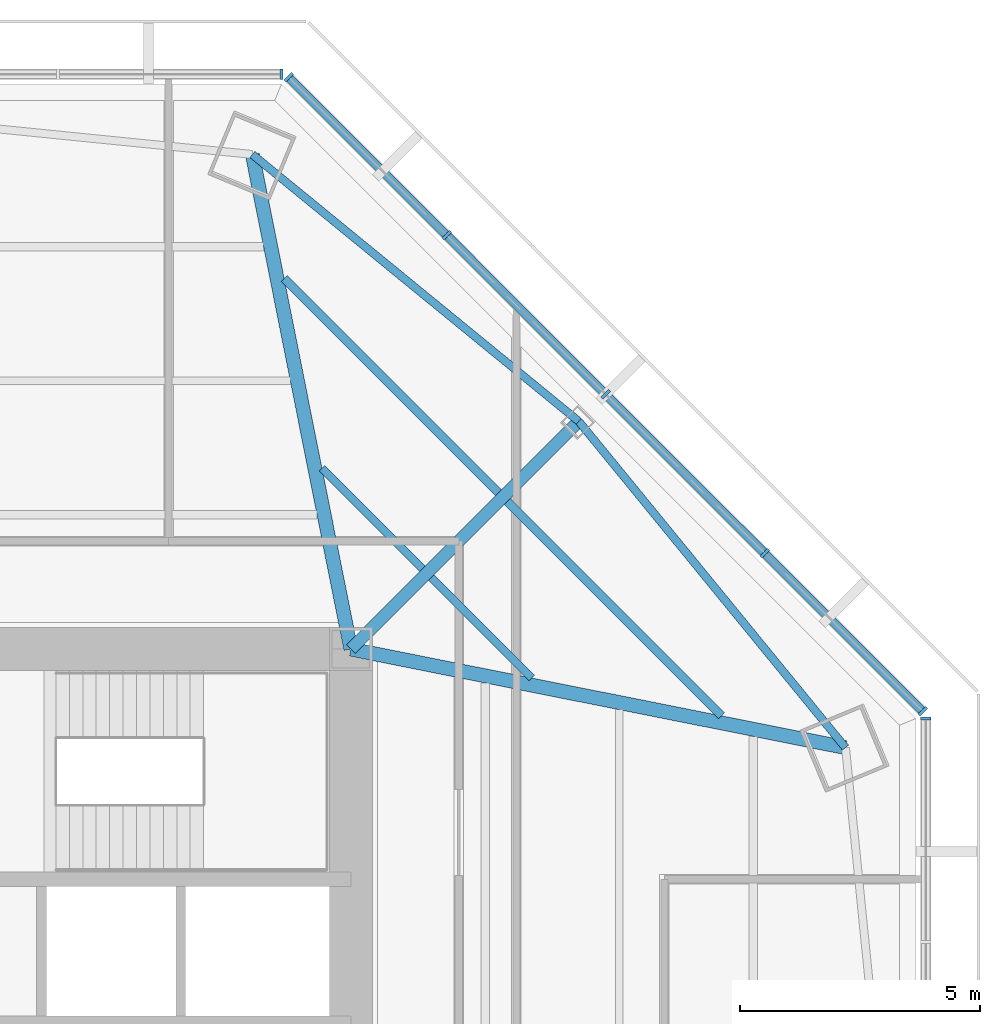
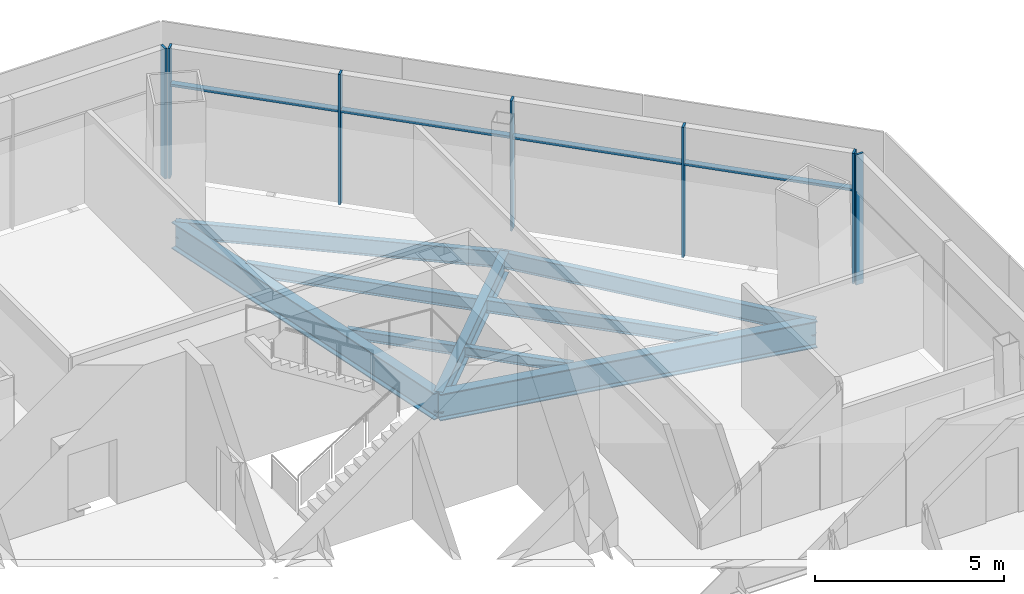
# One storey, part 6 of 15: 11 members, 9 beams, 3 elements without a shape of their own.
"""IFC4 building model written with IfcOpenShell, lengths in metres."""

from ifc_helpers import new_model, si_unit, direction, frame, origin, origin_2d, place, context, subcontext, project, spatial, rectangle, i_section, extrude, source, transform, mapped, material, material_profile, profile_set, type_object, type_shapes, element, aggregate, save


model = new_model("IFC4")

# Units and contexts
model_context = context("Model", 3, precision=1e-05, world=origin(), true_north=direction((0.0, 1.0)))
body_context = subcontext(model_context, "Body", "Model", "MODEL_VIEW")
ifc_project = project(units=[si_unit("LENGTHUNIT", "METRE"), si_unit("AREAUNIT", "SQUARE_METRE"), si_unit("VOLUMEUNIT", "CUBIC_METRE"), si_unit("PLANEANGLEUNIT", "RADIAN"), si_unit("MASSUNIT", "GRAM", prefix="KILO")], contexts=[model_context])

# Site, building, storey
site_placement = place(None, origin())
site = spatial("IfcSite", under=ifc_project, at=site_placement, CompositionType="ELEMENT")
building_placement = place(site_placement, origin())
building = spatial("IfcBuilding", under=site, at=building_placement, Name="Mashrafa Tower", CompositionType="ELEMENT")
storey_placement = place(building_placement, frame((0.0, 0.0, 184.800048828125)))
storey = spatial("IfcBuildingStorey", under=building, at=storey_placement, Name="L42", CompositionType="ELEMENT", Elevation=184.800048828125)

# Beams
ifc_material_1 = material(Name="Steel ASTM A992", Category="steel")
ifc_material_profile_1 = material_profile(ifc_material_1, i_section(OverallWidth=0.164794921875, OverallDepth=0.309814453125, WebThickness=0.005859375, FlangeThickness=0.009765625, FilletRadius=0.007568359375, at=origin_2d()), Name="W12X26")
ifc_profile_set_1 = profile_set([ifc_material_profile_1], Name="Steel ASTM A992")
beam_type_1 = type_object("IfcBeamType", Name="Beam W12X26", PredefinedType="BEAM", material=ifc_profile_set_1)
for number, where, z_axis, x_axis, name in (
    (1, (10.1982421875, 14.568603515625, -0.320068359375), (0.707147974672, -0.707065585301, 0.0), (0.707065585301, 0.707147974672, 0.0), "Floor beam L42 027"),
    (2, (12.473388671875, 12.293701171875, -0.320068359375), (0.707065585301, -0.707147974672, 0.0), (0.707147974672, 0.707065585301, 0.0), "Floor beam L42 030"),
):
    element("IfcBeam", number, at=place(storey_placement, frame(where, z_axis=z_axis, x_axis=x_axis)), inside=storey, type_object=beam_type_1, Name=name, PredefinedType="BEAM", context=body_context, shape_type="SweptSolid", body=[
        extrude(i_section(OverallWidth=0.164794921875, OverallDepth=0.309814453125, WebThickness=0.005859375, FlangeThickness=0.009765625, FilletRadius=0.007568359375, at=origin_2d()), origin(), (0.0, 0.0, 1.0), 2.963134765625),
    ])
ifc_material_2 = material(Name="Steel ASTM A992", Category="steel")
ifc_material_profile_2 = material_profile(ifc_material_2, i_section(OverallWidth=0.177734375, OverallDepth=0.406494140625, WebThickness=0.0078125, FlangeThickness=0.012939453125, FilletRadius=0.01025390625, at=origin_2d()), Name="W16X40")
ifc_profile_set_2 = profile_set([ifc_material_profile_2], Name="Steel ASTM A992")
beam_type_2 = type_object("IfcBeamType", Name="Beam W16X40", PredefinedType="BEAM", material=ifc_profile_set_2)
for number, where, z_axis, x_axis, name in (
    (3, (9.410400390625, 18.5234375, -0.3681640625), (0.707106781187, -0.707106781187, 0.0), (0.707106781187, 0.707106781187, 0.0), "Floor beam L42 025"),
    (4, (14.056640625, 13.877197265625, -0.3681640625), (0.707106781187, -0.707106781187, 0.0), (0.707106781187, 0.707106781187, 0.0), "Floor beam L42 034"),
):
    element("IfcBeam", number, at=place(storey_placement, frame(where, z_axis=z_axis, x_axis=x_axis)), inside=storey, type_object=beam_type_2, Name=name, PredefinedType="BEAM", context=body_context, shape_type="SweptSolid", body=[
        extrude(i_section(OverallWidth=0.177734375, OverallDepth=0.406494140625, WebThickness=0.0078125, FlangeThickness=0.012939453125, FilletRadius=0.01025390625, at=origin_2d()), origin(), (0.0, 0.0, 1.0), 6.31689453125),
    ])
ifc_material_3 = material(Name="Steel ASTM A992", Category="steel")
ifc_material_profile_3 = material_profile(ifc_material_3, i_section(OverallWidth=0.1650390625, OverallDepth=0.52587890625, WebThickness=0.0087890625, FlangeThickness=0.011474609375, FilletRadius=0.0126953125, at=origin_2d()), Name="W21X44")
ifc_profile_set_3 = profile_set([ifc_material_profile_3], Name="Steel ASTM A992")
beam_type_3 = type_object("IfcBeamType", Name="Beam W21X44", PredefinedType="BEAM", material=ifc_profile_set_3)
for number, where, z_axis, x_axis, name in (
    (5, (15.55029296875, 15.55029296875, -0.427978515625), (-0.77420723405, 0.632932191269, 0.0), (-0.632932191269, -0.77420723405, 0.0), "Spandrel beam L42 069"),
    (6, (21.11328125, 8.74560546875, -0.427978515625), (-0.632932191269, 0.77420723405, 0.0), (-0.77420723405, -0.632932191269, 0.0), "Spandrel beam L42 071"),
):
    element("IfcBeam", number, at=place(storey_placement, frame(where, z_axis=z_axis, x_axis=x_axis)), inside=storey, type_object=beam_type_3, Name=name, PredefinedType="BEAM", context=body_context, shape_type="SweptSolid", body=[
        extrude(i_section(OverallWidth=0.1650390625, OverallDepth=0.52587890625, WebThickness=0.0087890625, FlangeThickness=0.011474609375, FilletRadius=0.0126953125, at=origin_2d()), origin(), (0.0, 0.0, 1.0), 8.789306640625),
    ])
ifc_material_4 = material(Name="Steel ASTM A992", Category="steel")
ifc_material_profile_4 = material_profile(ifc_material_4, i_section(OverallWidth=0.25390625, OverallDepth=0.683349609375, WebThickness=0.012451171875, FlangeThickness=0.01904296875, FilletRadius=0.01513671875, at=origin_2d()), Name="W27X94")
ifc_profile_set_4 = profile_set([ifc_material_profile_4], Name="Steel ASTM A992")
beam_type_4 = type_object("IfcBeamType", Name="Beam W27X94", PredefinedType="BEAM", material=ifc_profile_set_4)
beam_placement = place(storey_placement, frame((10.800048828125, 10.800048828125, -0.506591796875), z_axis=(0.707106781187, 0.707106781187, 0.0), x_axis=(-0.707106781187, 0.707106781187, 0.0)))
element("IfcBeam", 7, at=beam_placement, inside=storey, type_object=beam_type_4, Name="Radial girder L42 055", PredefinedType="BEAM", context=body_context, shape_type="SweptSolid", body=[
    extrude(i_section(OverallWidth=0.25390625, OverallDepth=0.683349609375, WebThickness=0.012451171875, FlangeThickness=0.01904296875, FilletRadius=0.01513671875, at=origin_2d()), origin(), (0.0, 0.0, 1.0), 6.7177734375),
])
ifc_material_5 = material(Name="Steel ASTM A992", Category="steel")
ifc_material_profile_5 = material_profile(ifc_material_5, i_section(OverallWidth=0.2919921875, OverallDepth=0.8583984375, WebThickness=0.01708984375, FlangeThickness=0.031005859375, FilletRadius=0.017822265625, at=origin_2d()), Name="W33X169")
ifc_profile_set_5 = profile_set([ifc_material_profile_5], Name="Steel ASTM A992")
beam_type_5 = type_object("IfcBeamType", Name="Beam W33X169", PredefinedType="BEAM", material=ifc_profile_set_5)
for number, where, z_axis, x_axis, name in (
    (8, (10.800048828125, 10.800048828125, -0.59423828125), (-0.195366009443, 0.980730402483, 0.0), (-0.980730402483, -0.195366009443, 0.0), "Radial girder L42 054"),
    (9, (10.800048828125, 10.800048828125, -0.59423828125), (0.980730402483, -0.195366009443, 0.0), (0.195366009443, 0.980730402483, 0.0), "Radial girder L42 056"),
):
    element("IfcBeam", number, at=place(storey_placement, frame(where, z_axis=z_axis, x_axis=x_axis)), inside=storey, type_object=beam_type_5, Name=name, PredefinedType="BEAM", context=body_context, shape_type="SweptSolid", body=[
        extrude(i_section(OverallWidth=0.2919921875, OverallDepth=0.8583984375, WebThickness=0.01708984375, FlangeThickness=0.031005859375, FilletRadius=0.017822265625, at=origin_2d()), origin(), (0.0, 0.0, 1.0), 10.515869140625),
    ])

# Curtain wall, member
ifc_material_6 = material(Name="Unitised aluminium curtain wall", Category="aluminium")
curtain_wall_type = type_object("IfcCurtainWallType", Name="Office curtain wall, zone 2 CW-B 225 deep", PredefinedType="NOTDEFINED", material=ifc_material_6)
curtain_wall_1_placement = place(storey_placement, origin())
curtain_wall_1 = element("IfcCurtainWall", 10, at=curtain_wall_1_placement, inside=storey, type_object=curtain_wall_type, Name="Office curtain wall, zone 2 L42 east", PredefinedType="NOTDEFINED")
ifc_material_7 = material(Name="Extruded aluminium mullion", Category="aluminium")
ifc_material_profile_6 = material_profile(ifc_material_7, rectangle(XDim=0.22509765625, YDim=0.06494140625, at=origin_2d()), Name="Mullion 65x225")
ifc_profile_set_6 = profile_set([ifc_material_profile_6], Name="Extruded aluminium mullion")
member_type_1 = type_object("IfcMemberType", Name="Mullion CW-B 65 x 225", PredefinedType="MULLION", material=ifc_profile_set_6)
shared_shape_1 = source(origin(), body_context, "Body", "SweptSolid", [
    extrude(rectangle(XDim=0.22509765625, YDim=0.06494140625, at=origin_2d()), origin(), (0.0, 0.0, 1.0), 4.199951171875),
])
type_shapes(member_type_1, [shared_shape_1])
member_1_placement = place(storey_placement, frame((22.786865234375, 9.349609375, 0.0), z_axis=(0.0, 0.0, 1.0), x_axis=(-1.0, 0.0, 0.0)))
member_1 = element("IfcMember", 11, at=member_1_placement, type_object=member_type_1, Name="CW-B mullion 5", PredefinedType="MULLION", context=body_context, shape_type="MappedRepresentation", body=[
    mapped(shared_shape_1, transform((0.0, 0.0, 0.0))),
])
aggregate(curtain_wall_1, [member_1])

# Curtain wall, members
curtain_wall_2_placement = place(storey_placement, origin())
curtain_wall_2 = element("IfcCurtainWall", 12, at=curtain_wall_2_placement, inside=storey, type_object=curtain_wall_type, Name="Office curtain wall, zone 2 L42 north-east", PredefinedType="NOTDEFINED")
member_2_placement = place(storey_placement, frame((22.723876953125, 9.501708984375, 0.0), z_axis=(0.0, 0.0, 1.0), x_axis=(-0.707106781187, -0.707106781187, 0.0)))
member_2 = element("IfcMember", 13, at=member_2_placement, type_object=member_type_1, Name="CW-B mullion 1", PredefinedType="MULLION", context=body_context, shape_type="MappedRepresentation", body=[
    mapped(shared_shape_1, transform((0.0, 0.0, 0.0))),
])
member_3_placement = place(storey_placement, frame((19.429931640625, 12.795654296875, 0.0), z_axis=(0.0, 0.0, 1.0), x_axis=(-0.707106781187, -0.707106781187, 0.0)))
member_3 = element("IfcMember", 14, at=member_3_placement, type_object=member_type_1, Name="CW-B mullion 2", PredefinedType="MULLION", context=body_context, shape_type="MappedRepresentation", body=[
    mapped(shared_shape_1, transform((0.0, 0.0, 0.0))),
])
member_4_placement = place(storey_placement, frame((16.11279296875, 16.11279296875, 0.0), z_axis=(0.0, 0.0, 1.0), x_axis=(-0.707106781187, -0.707106781187, 0.0)))
member_4 = element("IfcMember", 15, at=member_4_placement, type_object=member_type_1, Name="CW-B mullion 3", PredefinedType="MULLION", context=body_context, shape_type="MappedRepresentation", body=[
    mapped(shared_shape_1, transform((0.0, 0.0, 0.0))),
])
member_5_placement = place(storey_placement, frame((12.795654296875, 19.429931640625, 0.0), z_axis=(0.0, 0.0, 1.0), x_axis=(-0.707106781187, -0.707106781187, 0.0)))
member_5 = element("IfcMember", 16, at=member_5_placement, type_object=member_type_1, Name="CW-B mullion 4", PredefinedType="MULLION", context=body_context, shape_type="MappedRepresentation", body=[
    mapped(shared_shape_1, transform((0.0, 0.0, 0.0))),
])
member_6_placement = place(storey_placement, frame((9.501708984375, 22.723876953125, 0.0), z_axis=(0.0, 0.0, 1.0), x_axis=(-0.707106781187, -0.707106781187, 0.0)))
member_6 = element("IfcMember", 17, at=member_6_placement, type_object=member_type_1, Name="CW-B mullion 5", PredefinedType="MULLION", context=body_context, shape_type="MappedRepresentation", body=[
    mapped(shared_shape_1, transform((0.0, 0.0, 0.0))),
])

# Curtain wall, member
curtain_wall_3_placement = place(storey_placement, origin())
curtain_wall_3 = element("IfcCurtainWall", 18, at=curtain_wall_3_placement, inside=storey, type_object=curtain_wall_type, Name="Office curtain wall, zone 2 L42 north", PredefinedType="NOTDEFINED")
member_7_placement = place(storey_placement, frame((9.349609375, 22.786865234375, 0.0), z_axis=(0.0, 0.0, 1.0), x_axis=(0.0, -1.0, 0.0)))
member_7 = element("IfcMember", 19, at=member_7_placement, type_object=member_type_1, Name="CW-B mullion 1", PredefinedType="MULLION", context=body_context, shape_type="MappedRepresentation", body=[
    mapped(shared_shape_1, transform((0.0, 0.0, 0.0))),
])
aggregate(curtain_wall_3, [member_7])

# Member
ifc_material_8 = material(Name="Extruded aluminium transom", Category="aluminium")
ifc_material_profile_7 = material_profile(ifc_material_8, rectangle(XDim=0.179931640625, YDim=0.080078125, at=origin_2d()), Name="Transom 80x180")
ifc_profile_set_7 = profile_set([ifc_material_profile_7], Name="Extruded aluminium transom")
member_type_2 = type_object("IfcMemberType", Name="Transom CW-B 80 x 180", PredefinedType="MULLION", material=ifc_profile_set_7)
shared_shape_2 = source(origin(), body_context, "Body", "SweptSolid", [
    extrude(rectangle(XDim=0.179931640625, YDim=0.080078125, at=origin_2d()), origin(), (0.0, 0.0, 1.0), 4.593505859375),
])
member_8_placement = place(storey_placement, frame((22.700927734375, 9.524658203125, 3.0), z_axis=(-0.707106781187, 0.707106781187, 0.0), x_axis=(-0.707106781187, -0.707106781187, 0.0)))
member_8 = element("IfcMember", 20, at=member_8_placement, type_object=member_type_2, Name="CW-B transom 1", PredefinedType="MULLION", context=body_context, shape_type="MappedRepresentation", body=[
    mapped(shared_shape_2, transform((0.0, 0.0, 0.0))),
])

member_9_placement = place(storey_placement, frame((12.772705078125, 19.452880859375, 3.0), z_axis=(-0.707106781187, 0.707106781187, 0.0), x_axis=(-0.707106781187, -0.707106781187, 0.0)))
member_9 = element("IfcMember", 21, at=member_9_placement, type_object=member_type_2, Name="CW-B transom 4", PredefinedType="MULLION", context=body_context, shape_type="MappedRepresentation", body=[
    mapped(shared_shape_2, transform((0.0, 0.0, 0.0))),
])

shared_shape_3 = source(origin(), body_context, "Body", "SweptSolid", [
    extrude(rectangle(XDim=0.179931640625, YDim=0.080078125, at=origin_2d()), origin(), (0.0, 0.0, 1.0), 4.6259765625),
])
type_shapes(member_type_2, [shared_shape_2, shared_shape_3])
member_10_placement = place(storey_placement, frame((19.406982421875, 12.81884765625, 3.0), z_axis=(-0.707133168229, 0.707080393159, 0.0), x_axis=(-0.707080393159, -0.707133168229, 0.0)))
member_10 = element("IfcMember", 22, at=member_10_placement, type_object=member_type_2, Name="CW-B transom 2", PredefinedType="MULLION", context=body_context, shape_type="MappedRepresentation", body=[
    mapped(shared_shape_3, transform((0.0, 0.0, 0.0))),
])

member_11_placement = place(storey_placement, frame((16.08984375, 16.1357421875, 3.0), z_axis=(-0.707080393159, 0.707133168229, 0.0), x_axis=(-0.707133168229, -0.707080393159, 0.0)))
member_11 = element("IfcMember", 23, at=member_11_placement, type_object=member_type_2, Name="CW-B transom 3", PredefinedType="MULLION", context=body_context, shape_type="MappedRepresentation", body=[
    mapped(shared_shape_3, transform((0.0, 0.0, 0.0))),
])

aggregate(curtain_wall_2, [member_2, member_3, member_4, member_5, member_6, member_8, member_10, member_11, member_9])

save(model, "model.ifc")
